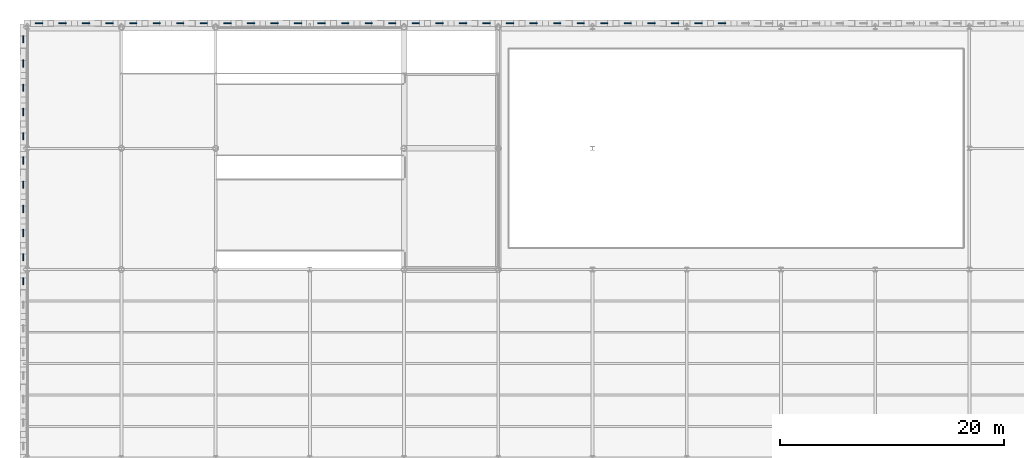
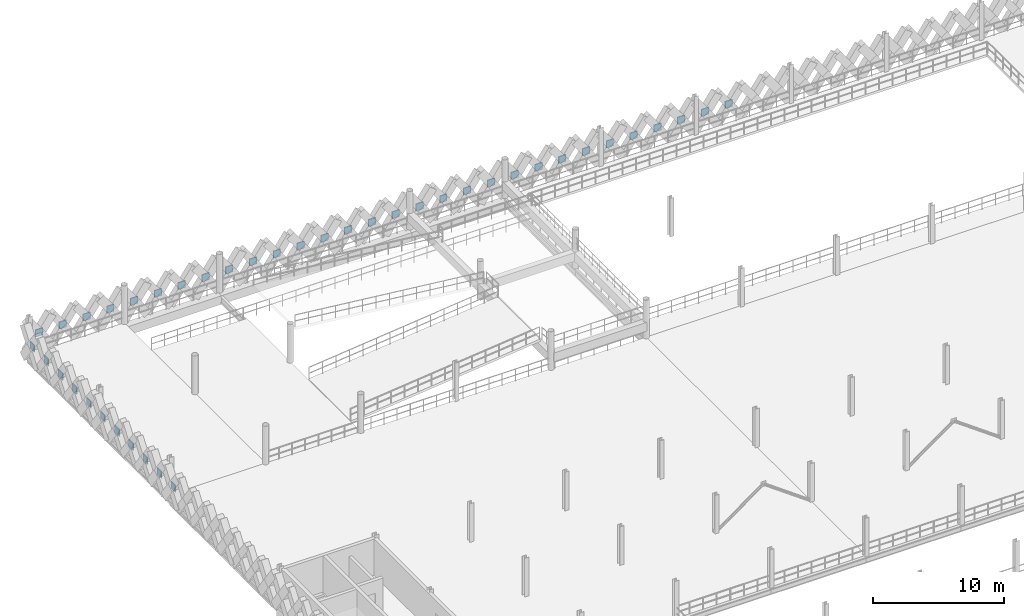
# One storey, part 56 of 74: 41 plates.
"""IFC4 building model written with IfcOpenShell, lengths in metres."""

from ifc_helpers import new_model, si_unit, direction, frame, origin, origin_2d, place, context, subcontext, project, spatial, rectangle, extrude, material, layer, layer_set, type_object, element, save


model = new_model("IFC4")

# Units and contexts
model_context = context("Model", 3, precision=1e-05, world=origin(), true_north=direction((0.0, 1.0)))
body_context = subcontext(model_context, "Body", "Model", "MODEL_VIEW")
ifc_project = project(units=[si_unit("LENGTHUNIT", "METRE"), si_unit("AREAUNIT", "SQUARE_METRE"), si_unit("VOLUMEUNIT", "CUBIC_METRE"), si_unit("PLANEANGLEUNIT", "RADIAN"), si_unit("MASSUNIT", "GRAM", prefix="KILO"), si_unit("THERMODYNAMICTEMPERATUREUNIT", "KELVIN"), si_unit("POWERUNIT", "WATT")], contexts=[model_context])

# Site, building, storey
site_placement = place(None, origin())
site = spatial("IfcSite", under=ifc_project, at=site_placement, CompositionType="ELEMENT")
building_placement = place(site_placement, origin())
building = spatial("IfcBuilding", under=site, at=building_placement, Name="Tembeka Court Mobility Hub", CompositionType="ELEMENT")
storey_placement = place(building_placement, frame((0.0, 0.0, 12.60009765625)))
storey = spatial("IfcBuildingStorey", under=building, at=storey_placement, Name="L03", CompositionType="ELEMENT", Elevation=12.60009765625)

# Plates
ifc_material = material(Name="Precast concrete C45/55", Category="concrete")
ifc_layer = layer(ifc_material, 0.090087890625)
ifc_layer_set = layer_set([ifc_layer], Name="Precast concrete C45/55")
plate_type = type_object("IfcPlateType", Name="PL-PC01", PredefinedType="SHEET", material=ifc_layer_set)
for number, where, z_axis, x_axis, name in (
    (1, (1.050048828125, 119.139892578125, 1.159912109375), (0.0, 0.0, 1.0), (1.0, 0.0, 0.0), "Precast diamond lattice node plate PCN01 (L03-433)"),
    (2, (3.14990234375, 119.139892578125, 1.159912109375), (0.0, 0.0, 1.0), (1.0, 0.0, 0.0), "Precast diamond lattice node plate PCN01 (L03-434)"),
    (3, (5.25, 119.139892578125, 1.159912109375), (0.0, 0.0, 1.0), (1.0, 0.0, 0.0), "Precast diamond lattice node plate PCN01 (L03-435)"),
    (4, (7.35009765625, 119.139892578125, 1.159912109375), (0.0, 0.0, 1.0), (1.0, 0.0, 0.0), "Precast diamond lattice node plate PCN01 (L03-436)"),
    (5, (9.449951171875, 119.139892578125, 1.159912109375), (0.0, 0.0, 1.0), (1.0, 0.0, 0.0), "Precast diamond lattice node plate PCN01 (L03-437)"),
    (6, (11.550048828125, 119.139892578125, 1.159912109375), (0.0, 0.0, 1.0), (1.0, 0.0, 0.0), "Precast diamond lattice node plate PCN01 (L03-438)"),
    (7, (13.64990234375, 119.139892578125, 1.159912109375), (0.0, 0.0, 1.0), (1.0, 0.0, 0.0), "Precast diamond lattice node plate PCN01 (L03-439)"),
    (8, (15.75, 119.139892578125, 1.159912109375), (0.0, 0.0, 1.0), (1.0, 0.0, 0.0), "Precast diamond lattice node plate PCN01 (L03-440)"),
    (9, (17.85009765625, 119.139892578125, 1.159912109375), (0.0, 0.0, 1.0), (1.0, 0.0, 0.0), "Precast diamond lattice node plate PCN01 (L03-441)"),
    (10, (19.949951171875, 119.139892578125, 1.159912109375), (0.0, 0.0, 1.0), (1.0, 0.0, 0.0), "Precast diamond lattice node plate PCN01 (L03-442)"),
    (11, (22.050048828125, 119.139892578125, 1.159912109375), (0.0, 0.0, 1.0), (1.0, 0.0, 0.0), "Precast diamond lattice node plate PCN01 (L03-443)"),
    (12, (24.14990234375, 119.139892578125, 1.159912109375), (0.0, 0.0, 1.0), (1.0, 0.0, 0.0), "Precast diamond lattice node plate PCN01 (L03-444)"),
    (13, (26.25, 119.139892578125, 1.159912109375), (0.0, 0.0, 1.0), (1.0, 0.0, 0.0), "Precast diamond lattice node plate PCN01 (L03-445)"),
    (14, (28.35009765625, 119.139892578125, 1.159912109375), (0.0, 0.0, 1.0), (1.0, 0.0, 0.0), "Precast diamond lattice node plate PCN01 (L03-446)"),
    (15, (30.449951171875, 119.139892578125, 1.159912109375), (0.0, 0.0, 1.0), (1.0, 0.0, 0.0), "Precast diamond lattice node plate PCN01 (L03-447)"),
    (16, (32.550048828125, 119.139892578125, 1.159912109375), (0.0, 0.0, 1.0), (1.0, 0.0, 0.0), "Precast diamond lattice node plate PCN01 (L03-448)"),
    (17, (34.64990234375, 119.139892578125, 1.159912109375), (0.0, 0.0, 1.0), (1.0, 0.0, 0.0), "Precast diamond lattice node plate PCN01 (L03-449)"),
    (18, (36.75, 119.139892578125, 1.159912109375), (0.0, 0.0, 1.0), (1.0, 0.0, 0.0), "Precast diamond lattice node plate PCN01 (L03-450)"),
    (19, (38.85009765625, 119.139892578125, 1.159912109375), (0.0, 0.0, 1.0), (1.0, 0.0, 0.0), "Precast diamond lattice node plate PCN01 (L03-451)"),
    (20, (40.949951171875, 119.139892578125, 1.159912109375), (0.0, 0.0, 1.0), (1.0, 0.0, 0.0), "Precast diamond lattice node plate PCN01 (L03-452)"),
    (21, (43.050048828125, 119.139892578125, 1.159912109375), (0.0, 0.0, 1.0), (1.0, 0.0, 0.0), "Precast diamond lattice node plate PCN01 (L03-453)"),
    (22, (45.14990234375, 119.139892578125, 1.159912109375), (0.0, 0.0, 1.0), (1.0, 0.0, 0.0), "Precast diamond lattice node plate PCN01 (L03-454)"),
    (23, (47.25, 119.139892578125, 1.159912109375), (0.0, 0.0, 1.0), (1.0, 0.0, 0.0), "Precast diamond lattice node plate PCN01 (L03-455)"),
    (24, (49.35009765625, 119.139892578125, 1.159912109375), (0.0, 0.0, 1.0), (1.0, 0.0, 0.0), "Precast diamond lattice node plate PCN01 (L03-456)"),
    (25, (51.449951171875, 119.139892578125, 1.159912109375), (0.0, 0.0, 1.0), (1.0, 0.0, 0.0), "Precast diamond lattice node plate PCN01 (L03-457)"),
    (26, (53.550048828125, 119.139892578125, 1.159912109375), (0.0, 0.0, 1.0), (1.0, 0.0, 0.0), "Precast diamond lattice node plate PCN01 (L03-458)"),
    (27, (55.64990234375, 119.139892578125, 1.159912109375), (0.0, 0.0, 1.0), (1.0, 0.0, 0.0), "Precast diamond lattice node plate PCN01 (L03-459)"),
    (28, (57.75, 119.139892578125, 1.159912109375), (0.0, 0.0, 1.0), (1.0, 0.0, 0.0), "Precast diamond lattice node plate PCN01 (L03-460)"),
    (29, (59.85009765625, 119.139892578125, 1.159912109375), (0.0, 0.0, 1.0), (1.0, 0.0, 0.0), "Precast diamond lattice node plate PCN01 (L03-461)"),
    (30, (61.949951171875, 119.139892578125, 1.159912109375), (0.0, 0.0, 1.0), (1.0, 0.0, 0.0), "Precast diamond lattice node plate PCN01 (L03-462)"),
):
    element("IfcPlate", number, at=place(storey_placement, frame(where, z_axis=z_axis, x_axis=x_axis)), inside=storey, type_object=plate_type, Name=name, PredefinedType="SHEET", context=body_context, shape_type="SweptSolid", body=[
        extrude(rectangle(XDim=0.64990234375, YDim=0.090087890625, at=origin_2d()), origin(), (0.0, 0.0, 1.0), 0.64990234375),
    ])
for number, where, z_axis, x_axis, name in (
    (31, (-0.340087890625, 96.14990234375, 1.159912109375), (0.0, 0.0, 1.0), (1.0, 0.0, 0.0), "Precast diamond lattice node plate PCN01 (L03-522)"),
    (32, (-0.340087890625, 98.280029296875, 1.159912109375), (0.0, 0.0, 1.0), (1.0, 0.0, 0.0), "Precast diamond lattice node plate PCN01 (L03-523)"),
    (33, (-0.340087890625, 100.43994140625, 1.159912109375), (0.0, 0.0, 1.0), (1.0, 0.0, 0.0), "Precast diamond lattice node plate PCN01 (L03-524)"),
    (34, (-0.340087890625, 102.60009765625, 1.159912109375), (0.0, 0.0, 1.0), (1.0, 0.0, 0.0), "Precast diamond lattice node plate PCN01 (L03-525)"),
    (35, (-0.340087890625, 104.760009765625, 1.159912109375), (0.0, 0.0, 1.0), (1.0, 0.0, 0.0), "Precast diamond lattice node plate PCN01 (L03-526)"),
    (36, (-0.340087890625, 106.919921875, 1.159912109375), (0.0, 0.0, 1.0), (1.0, 0.0, 0.0), "Precast diamond lattice node plate PCN01 (L03-527)"),
    (37, (-0.340087890625, 109.080078125, 1.159912109375), (0.0, 0.0, 1.0), (1.0, 0.0, 0.0), "Precast diamond lattice node plate PCN01 (L03-528)"),
    (38, (-0.340087890625, 111.239990234375, 1.159912109375), (0.0, 0.0, 1.0), (1.0, 0.0, 0.0), "Precast diamond lattice node plate PCN01 (L03-529)"),
    (39, (-0.340087890625, 113.39990234375, 1.159912109375), (0.0, 0.0, 1.0), (1.0, 0.0, 0.0), "Precast diamond lattice node plate PCN01 (L03-530)"),
    (40, (-0.340087890625, 115.56005859375, 1.159912109375), (0.0, 0.0, 1.0), (1.0, 0.0, 0.0), "Precast diamond lattice node plate PCN01 (L03-531)"),
    (41, (-0.340087890625, 117.719970703125, 1.159912109375), (0.0, 0.0, 1.0), (1.0, 0.0, 0.0), "Precast diamond lattice node plate PCN01 (L03-532)"),
):
    element("IfcPlate", number, at=place(storey_placement, frame(where, z_axis=z_axis, x_axis=x_axis)), inside=storey, type_object=plate_type, Name=name, PredefinedType="SHEET", context=body_context, shape_type="SweptSolid", body=[
        extrude(rectangle(XDim=0.090087890625, YDim=0.64990234375, at=origin_2d()), origin(), (0.0, 0.0, 1.0), 0.64990234375),
    ])

save(model, "model.ifc")
